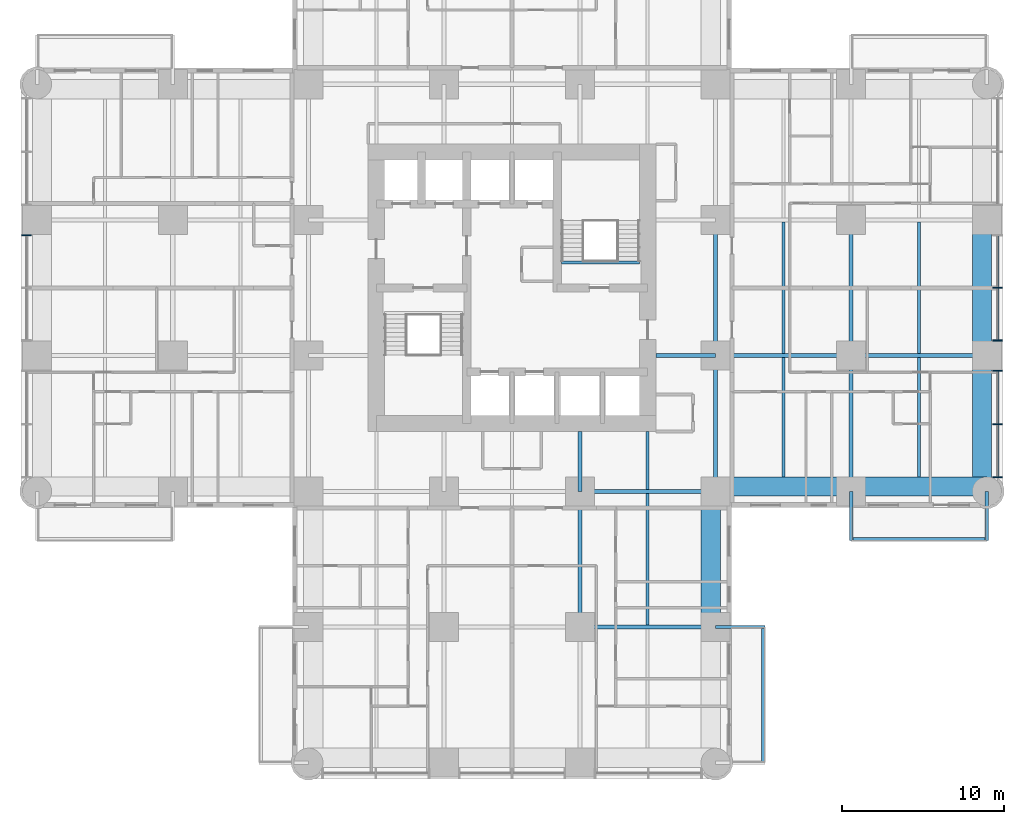
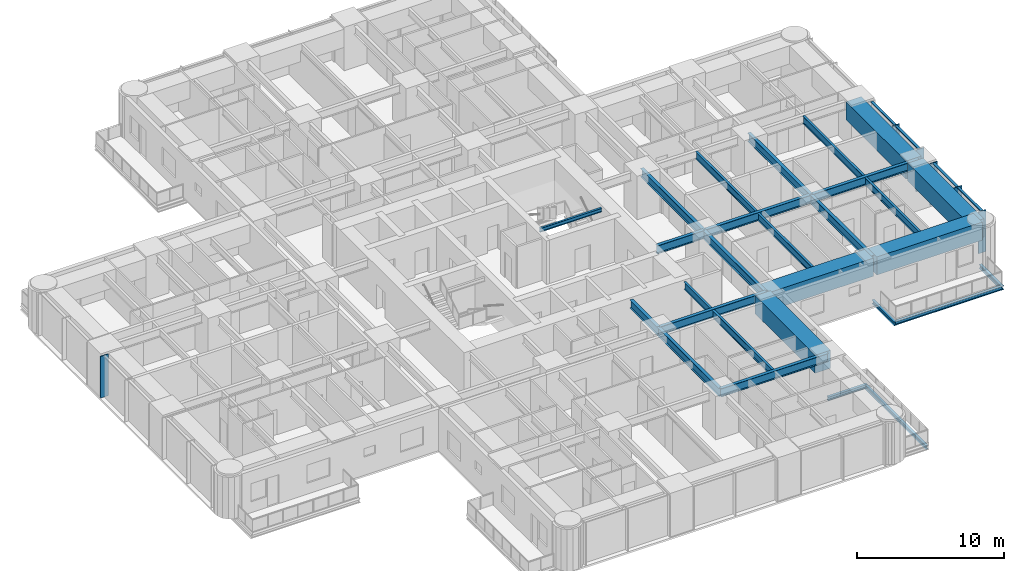
# One storey, part 3 of 17: 28 beams, 10 members, 2 elements without a shape of their own.
"""IFC4 building model written with IfcOpenShell, lengths in metres."""

from ifc_helpers import new_model, si_unit, direction, frame, origin, origin_2d, place, context, subcontext, project, spatial, rectangle, i_section, extrude, material, material_profile, profile_set, type_object, element, aggregate, save


model = new_model("IFC4")

# Units and contexts
model_context = context("Model", 3, precision=1e-05, world=origin(), true_north=direction((0.0, 1.0)))
body_context = subcontext(model_context, "Body", "Model", "MODEL_VIEW")
ifc_project = project(units=[si_unit("LENGTHUNIT", "METRE"), si_unit("AREAUNIT", "SQUARE_METRE"), si_unit("VOLUMEUNIT", "CUBIC_METRE"), si_unit("PLANEANGLEUNIT", "RADIAN"), si_unit("MASSUNIT", "GRAM", prefix="KILO")], contexts=[model_context])

# Site, building, storey
site_placement = place(None, origin())
site = spatial("IfcSite", under=ifc_project, at=site_placement, CompositionType="ELEMENT")
building_placement = place(site_placement, origin())
building = spatial("IfcBuilding", under=site, at=building_placement, Name="Torre Alcanfor", CompositionType="ELEMENT")
storey_placement = place(building_placement, frame((0.0, 0.0, 48.89990234375)))
storey = spatial("IfcBuildingStorey", under=building, at=storey_placement, Name="L11", CompositionType="ELEMENT", Elevation=48.89990234375)

# Beams
ifc_material_1 = material(Name="Steel ASTM A992 Grade 50", Category="steel")
ifc_material_profile_1 = material_profile(ifc_material_1, i_section(OverallWidth=0.205322265625, OverallDepth=0.309814453125, WebThickness=0.00927734375, FlangeThickness=0.016357421875, at=origin_2d()), Name="W12x50")
ifc_profile_set_1 = profile_set([ifc_material_profile_1], Name="Steel ASTM A992 Grade 50")
beam_type_1 = type_object("IfcBeamType", Name="Balcony cantilever beam W12x50", PredefinedType="BEAM", material=ifc_profile_set_1)
for number, where, z_axis, x_axis, name in (
    (1, (50.39990234375, 16.800048828125, -0.354736328125), (0.0, -1.0, 0.0), (1.0, 0.0, 0.0), "Balcony cantilever beam L11-E2 1"),
    (2, (58.800048828125, 16.800048828125, -0.354736328125), (0.0, -1.0, 0.0), (1.0, 0.0, 0.0), "Balcony cantilever beam L11-E2 2"),
    (3, (42.0, 8.39990234375, -0.354736328125), (1.0, 0.0, 0.0), (0.0, 1.0, 0.0), "Balcony cantilever beam L11-S1 1"),
):
    element("IfcBeam", number, at=place(storey_placement, frame(where, z_axis=z_axis, x_axis=x_axis)), inside=storey, type_object=beam_type_1, Name=name, PredefinedType="BEAM", context=body_context, shape_type="SweptSolid", body=[
        extrude(i_section(OverallWidth=0.205322265625, OverallDepth=0.309814453125, WebThickness=0.00927734375, FlangeThickness=0.016357421875, at=origin_2d()), origin(), (0.0, 0.0, 1.0), 3.050048828125),
    ])
ifc_material_2 = material(Name="Steel ASTM A992 Grade 50", Category="steel")
ifc_material_profile_2 = material_profile(ifc_material_2, i_section(OverallWidth=0.203369140625, OverallDepth=0.30224609375, WebThickness=0.007568359375, FlangeThickness=0.01318359375, at=origin_2d()), Name="W12x40")
ifc_profile_set_2 = profile_set([ifc_material_profile_2], Name="Steel ASTM A992 Grade 50")
beam_type_2 = type_object("IfcBeamType", Name="Balcony edge trimmer W12x40", PredefinedType="BEAM", material=ifc_profile_set_2)
beam_1_placement = place(storey_placement, frame((50.39990234375, 13.851806640625, -0.35107421875), z_axis=(1.0, 0.0, 0.0), x_axis=(0.0, 1.0, 0.0)))
element("IfcBeam", 4, at=beam_1_placement, inside=storey, type_object=beam_type_2, Name="Balcony edge trimmer L11-E2", PredefinedType="BEAM", context=body_context, shape_type="SweptSolid", body=[
    extrude(i_section(OverallWidth=0.203369140625, OverallDepth=0.30224609375, WebThickness=0.007568359375, FlangeThickness=0.01318359375, at=origin_2d()), origin(), (0.0, 0.0, 1.0), 8.400146484375),
])
beam_2_placement = place(storey_placement, frame((44.9482421875, 8.39990234375, -0.35107421875), z_axis=(0.0, -1.0, 0.0), x_axis=(1.0, 0.0, 0.0)))
element("IfcBeam", 5, at=beam_2_placement, inside=storey, type_object=beam_type_2, Name="Balcony edge trimmer L11-S1", PredefinedType="BEAM", context=body_context, shape_type="SweptSolid", body=[
    extrude(i_section(OverallWidth=0.203369140625, OverallDepth=0.30224609375, WebThickness=0.007568359375, FlangeThickness=0.01318359375, at=origin_2d()), origin(), (0.0, 0.0, 1.0), 8.39990234375),
])

# Curtain wall, member
ifc_material_3 = material(Name="Aluminium and glass", Category="aluminium")
curtain_wall_type = type_object("IfcCurtainWallType", Name="CW-A unitised apartment glazing with vertical FIN", PredefinedType="NOTDEFINED", material=ifc_material_3)
curtain_wall_1_placement = place(storey_placement, origin())
curtain_wall_1 = element("IfcCurtainWall", 6, at=curtain_wall_1_placement, inside=storey, type_object=curtain_wall_type, Name="Curtain wall CW-A L11 2", PredefinedType="NOTDEFINED")
ifc_material_4 = material(Name="Bronze anodised aluminium", Category="aluminium")
ifc_material_profile_3 = material_profile(ifc_material_4, rectangle(XDim=0.60009765625, YDim=0.06494140625, at=origin_2d()), Name="CW-A mullion 65x600")
ifc_profile_set_3 = profile_set([ifc_material_profile_3], Name="Bronze anodised aluminium")
member_type_1 = type_object("IfcMemberType", Name="CW-A mullion with vertical FIN 65x600", PredefinedType="MULLION", material=ifc_profile_set_3)
member_1_placement = place(storey_placement, frame((-0.64990234375, 32.66259765625, 0.0), z_axis=(0.0, 0.0, 1.0), x_axis=(1.0, 0.0, 0.0)))
member_1 = element("IfcMember", 7, at=member_1_placement, type_object=member_type_1, Name="CW-A mullion 2.1", PredefinedType="MULLION", context=body_context, shape_type="SweptSolid", body=[
    extrude(rectangle(XDim=0.60009765625, YDim=0.06494140625, at=origin_2d()), origin(), (0.0, 0.0, 1.0), 3.4501953125),
])
aggregate(curtain_wall_1, [member_1])

# Curtain wall, members
curtain_wall_2_placement = place(storey_placement, origin())
curtain_wall_2 = element("IfcCurtainWall", 8, at=curtain_wall_2_placement, inside=storey, type_object=curtain_wall_type, Name="Curtain wall CW-A L11 8", PredefinedType="NOTDEFINED")
member_2_placement = place(storey_placement, frame((59.449951171875, 17.6669921875, 0.0), z_axis=(0.0, 0.0, 1.0), x_axis=(-1.0, 0.0, 0.0)))
member_2 = element("IfcMember", 9, at=member_2_placement, type_object=member_type_1, Name="CW-A mullion 1.1", PredefinedType="MULLION", context=body_context, shape_type="SweptSolid", body=[
    extrude(rectangle(XDim=0.60009765625, YDim=0.06494140625, at=origin_2d()), origin(), (0.0, 0.0, 1.0), 3.4501953125),
])
member_3_placement = place(storey_placement, frame((59.449951171875, 20.96484375, 0.0), z_axis=(0.0, 0.0, 1.0), x_axis=(-1.0, 0.0, 0.0)))
member_3 = element("IfcMember", 10, at=member_3_placement, type_object=member_type_1, Name="CW-A mullion 1.2", PredefinedType="MULLION", context=body_context, shape_type="SweptSolid", body=[
    extrude(rectangle(XDim=0.60009765625, YDim=0.06494140625, at=origin_2d()), origin(), (0.0, 0.0, 1.0), 3.4501953125),
])
member_4_placement = place(storey_placement, frame((59.449951171875, 24.262451171875, 0.0), z_axis=(0.0, 0.0, 1.0), x_axis=(-1.0, 0.0, 0.0)))
member_4 = element("IfcMember", 11, at=member_4_placement, type_object=member_type_1, Name="CW-A mullion 1.3", PredefinedType="MULLION", context=body_context, shape_type="SweptSolid", body=[
    extrude(rectangle(XDim=0.60009765625, YDim=0.06494140625, at=origin_2d()), origin(), (0.0, 0.0, 1.0), 3.4501953125),
])
member_5_placement = place(storey_placement, frame((59.449951171875, 26.137451171875, 0.0), z_axis=(0.0, 0.0, 1.0), x_axis=(-1.0, 0.0, 0.0)))
member_5 = element("IfcMember", 12, at=member_5_placement, type_object=member_type_1, Name="CW-A mullion 2.1", PredefinedType="MULLION", context=body_context, shape_type="SweptSolid", body=[
    extrude(rectangle(XDim=0.60009765625, YDim=0.06494140625, at=origin_2d()), origin(), (0.0, 0.0, 1.0), 3.4501953125),
])
member_6_placement = place(storey_placement, frame((59.449951171875, 29.39990234375, 0.0), z_axis=(0.0, 0.0, 1.0), x_axis=(-1.0, 0.0, 0.0)))
member_6 = element("IfcMember", 13, at=member_6_placement, type_object=member_type_1, Name="CW-A mullion 2.2", PredefinedType="MULLION", context=body_context, shape_type="SweptSolid", body=[
    extrude(rectangle(XDim=0.60009765625, YDim=0.06494140625, at=origin_2d()), origin(), (0.0, 0.0, 1.0), 3.4501953125),
])
ifc_material_5 = material(Name="Extruded aluminium", Category="aluminium")
ifc_material_profile_4 = material_profile(ifc_material_5, rectangle(XDim=0.199951171875, YDim=0.06494140625, at=origin_2d()), Name="CW-A transom 200x65")
ifc_profile_set_4 = profile_set([ifc_material_profile_4], Name="Extruded aluminium")
member_type_2 = type_object("IfcMemberType", Name="CW-A transom 65x200", PredefinedType="USERDEFINED", material=ifc_profile_set_4)
member_7_placement = place(storey_placement, frame((59.449951171875, 17.699462890625, 3.41748046875), z_axis=(0.0, 1.0, 0.0), x_axis=(-1.0, 0.0, 0.0)))
member_7 = element("IfcMember", 14, at=member_7_placement, type_object=member_type_2, Name="CW-A transom 1.1.2", ObjectType="TRANSOM", PredefinedType="USERDEFINED", context=body_context, shape_type="SweptSolid", body=[
    extrude(rectangle(XDim=0.199951171875, YDim=0.06494140625, at=origin_2d()), origin(), (0.0, 0.0, 1.0), 3.232666015625),
])
member_8_placement = place(storey_placement, frame((59.449951171875, 20.997314453125, 3.41748046875), z_axis=(0.0, 1.0, 0.0), x_axis=(-1.0, 0.0, 0.0)))
member_8 = element("IfcMember", 15, at=member_8_placement, type_object=member_type_2, Name="CW-A transom 1.2.2", ObjectType="TRANSOM", PredefinedType="USERDEFINED", context=body_context, shape_type="SweptSolid", body=[
    extrude(rectangle(XDim=0.199951171875, YDim=0.06494140625, at=origin_2d()), origin(), (0.0, 0.0, 1.0), 3.232666015625),
])
member_9_placement = place(storey_placement, frame((59.449951171875, 26.169921875, 3.41748046875), z_axis=(0.0, 1.0, 0.0), x_axis=(-1.0, 0.0, 0.0)))
member_9 = element("IfcMember", 16, at=member_9_placement, type_object=member_type_2, Name="CW-A transom 2.1.2", ObjectType="TRANSOM", PredefinedType="USERDEFINED", context=body_context, shape_type="SweptSolid", body=[
    extrude(rectangle(XDim=0.199951171875, YDim=0.06494140625, at=origin_2d()), origin(), (0.0, 0.0, 1.0), 3.197509765625),
])
member_10_placement = place(storey_placement, frame((59.449951171875, 29.4326171875, 3.41748046875), z_axis=(0.0, 1.0, 0.0), x_axis=(-1.0, 0.0, 0.0)))
member_10 = element("IfcMember", 17, at=member_10_placement, type_object=member_type_2, Name="CW-A transom 2.2.2", ObjectType="TRANSOM", PredefinedType="USERDEFINED", context=body_context, shape_type="SweptSolid", body=[
    extrude(rectangle(XDim=0.199951171875, YDim=0.06494140625, at=origin_2d()), origin(), (0.0, 0.0, 1.0), 3.197265625),
])
aggregate(curtain_wall_2, [member_2, member_3, member_4, member_7, member_8, member_5, member_6, member_9, member_10])

# Beams
ifc_material_6 = material(Name="Steel ASTM A992 Grade 50", Category="steel")
ifc_material_profile_5 = material_profile(ifc_material_6, i_section(OverallWidth=0.25390625, OverallDepth=0.683349609375, WebThickness=0.012451171875, FlangeThickness=0.01904296875, at=origin_2d()), Name="W27x94")
ifc_profile_set_5 = profile_set([ifc_material_profile_5], Name="Steel ASTM A992 Grade 50")
beam_type_3 = type_object("IfcBeamType", Name="Girder W27x94", PredefinedType="BEAM", material=ifc_profile_set_5)
for number, where, z_axis, x_axis, name in (
    (18, (33.60009765625, 8.39990234375, 3.1083984375), (1.0, 0.0, 0.0), (0.0, 1.0, 0.0), "Beam 5D-6D under L12"),
    (19, (33.60009765625, 16.800048828125, 3.1083984375), (1.0, 0.0, 0.0), (0.0, 1.0, 0.0), "Beam 5E-6E under L12"),
    (20, (42.0, 25.199951171875, 3.1083984375), (1.0, 0.0, 0.0), (0.0, 1.0, 0.0), "Beam 6F-7F under L12"),
):
    element("IfcBeam", number, at=place(storey_placement, frame(where, z_axis=z_axis, x_axis=x_axis)), inside=storey, type_object=beam_type_3, Name=name, PredefinedType="BEAM", context=body_context, shape_type="SweptSolid", body=[
        extrude(i_section(OverallWidth=0.25390625, OverallDepth=0.683349609375, WebThickness=0.012451171875, FlangeThickness=0.01904296875, at=origin_2d()), origin(), (0.0, 0.0, 1.0), 8.39990234375),
    ])
for number, where, z_axis, x_axis, name in (
    (21, (50.39990234375, 25.199951171875, 3.1083984375), (1.0, 0.0, 0.0), (0.0, 1.0, 0.0), "Beam 7F-8F under L12"),
    (22, (33.60009765625, 8.39990234375, 3.1083984375), (0.0, 1.0, 0.0), (-1.0, 0.0, 0.0), "Beam 5D-5E under L12"),
):
    element("IfcBeam", number, at=place(storey_placement, frame(where, z_axis=z_axis, x_axis=x_axis)), inside=storey, type_object=beam_type_3, Name=name, PredefinedType="BEAM", context=body_context, shape_type="SweptSolid", body=[
        extrude(i_section(OverallWidth=0.25390625, OverallDepth=0.683349609375, WebThickness=0.012451171875, FlangeThickness=0.01904296875, at=origin_2d()), origin(), (0.0, 0.0, 1.0), 8.400146484375),
    ])
beam_3_placement = place(storey_placement, frame((42.0, 16.800048828125, 3.1083984375), z_axis=(0.0, 1.0, 0.0), x_axis=(-1.0, 0.0, 0.0)))
element("IfcBeam", 23, at=beam_3_placement, inside=storey, type_object=beam_type_3, Name="Beam 6E-6F under L12", PredefinedType="BEAM", context=body_context, shape_type="SweptSolid", body=[
    extrude(i_section(OverallWidth=0.25390625, OverallDepth=0.683349609375, WebThickness=0.012451171875, FlangeThickness=0.01904296875, at=origin_2d()), origin(), (0.0, 0.0, 1.0), 8.39990234375),
])
beam_4_placement = place(storey_placement, frame((42.0, 25.199951171875, 3.1083984375), z_axis=(0.0, 1.0, 0.0), x_axis=(-1.0, 0.0, 0.0)))
element("IfcBeam", 24, at=beam_4_placement, inside=storey, type_object=beam_type_3, Name="Beam 6F-6G under L12", PredefinedType="BEAM", context=body_context, shape_type="SweptSolid", body=[
    extrude(i_section(OverallWidth=0.25390625, OverallDepth=0.683349609375, WebThickness=0.012451171875, FlangeThickness=0.01904296875, at=origin_2d()), origin(), (0.0, 0.0, 1.0), 8.400146484375),
])
beam_5_placement = place(storey_placement, frame((50.39990234375, 16.800048828125, 3.1083984375), z_axis=(0.0, 1.0, 0.0), x_axis=(-1.0, 0.0, 0.0)))
element("IfcBeam", 25, at=beam_5_placement, inside=storey, type_object=beam_type_3, Name="Beam 7E-7F under L12", PredefinedType="BEAM", context=body_context, shape_type="SweptSolid", body=[
    extrude(i_section(OverallWidth=0.25390625, OverallDepth=0.683349609375, WebThickness=0.012451171875, FlangeThickness=0.01904296875, at=origin_2d()), origin(), (0.0, 0.0, 1.0), 8.39990234375),
])
beam_6_placement = place(storey_placement, frame((50.39990234375, 25.199951171875, 3.1083984375), z_axis=(0.0, 1.0, 0.0), x_axis=(-1.0, 0.0, 0.0)))
element("IfcBeam", 26, at=beam_6_placement, inside=storey, type_object=beam_type_3, Name="Beam 7F-7G under L12", PredefinedType="BEAM", context=body_context, shape_type="SweptSolid", body=[
    extrude(i_section(OverallWidth=0.25390625, OverallDepth=0.683349609375, WebThickness=0.012451171875, FlangeThickness=0.01904296875, at=origin_2d()), origin(), (0.0, 0.0, 1.0), 8.400146484375),
])
ifc_material_7 = material(Name="Steel ASTM A992 Grade 50", Category="steel")
ifc_material_profile_6 = material_profile(ifc_material_7, i_section(OverallWidth=0.25390625, OverallDepth=0.683349609375, WebThickness=0.012451171875, FlangeThickness=0.01904296875, at=origin_2d()), Name="W27x94")
ifc_profile_set_6 = profile_set([ifc_material_profile_6], Name="Steel ASTM A992 Grade 50")
beam_type_4 = type_object("IfcBeamType", Name="Girder, part bay W27x94", PredefinedType="BEAM", material=ifc_profile_set_6)
for number, where, z_axis, x_axis, name in (
    (27, (33.60009765625, 16.800048828125, 3.1083984375), (0.0, 1.0, 0.0), (-1.0, 0.0, 0.0), "Beam 5E-520_5 under L12"),
    (28, (42.0, 25.199951171875, 3.1083984375), (-1.0, 0.0, 0.0), (0.0, -1.0, 0.0), "Beam 6F-38_3F under L12"),
):
    element("IfcBeam", number, at=place(storey_placement, frame(where, z_axis=z_axis, x_axis=x_axis)), inside=storey, type_object=beam_type_4, Name=name, PredefinedType="BEAM", context=body_context, shape_type="SweptSolid", body=[
        extrude(i_section(OverallWidth=0.25390625, OverallDepth=0.683349609375, WebThickness=0.012451171875, FlangeThickness=0.01904296875, at=origin_2d()), origin(), (0.0, 0.0, 1.0), 3.699951171875),
    ])
ifc_material_8 = material(Name="Concrete f'c 70 MPa", Category="concrete")
ifc_material_profile_7 = material_profile(ifc_material_8, rectangle(XDim=1.199951171875, YDim=1.5, at=origin_2d()), Name="1200x1500")
ifc_profile_set_7 = profile_set([ifc_material_profile_7], Name="Concrete f'c 70 MPa")
beam_type_5 = type_object("IfcBeamType", Name="RC perimeter beam 1200x1500", PredefinedType="BEAM", material=ifc_profile_set_7)
beam_7_placement = place(storey_placement, frame((42.126953125, 17.10009765625, 2.7001953125), z_axis=(1.0, 0.0, 0.0), x_axis=(0.0, 1.0, 0.0)))
element("IfcBeam", 29, at=beam_7_placement, inside=storey, type_object=beam_type_5, Name="Beam 6E-7E under L12", PredefinedType="BEAM", context=body_context, shape_type="SweptSolid", body=[
    extrude(rectangle(XDim=1.199951171875, YDim=1.5, at=origin_2d()), origin(), (0.0, 0.0, 1.0), 8.14599609375),
])
beam_8_placement = place(storey_placement, frame((50.527099609375, 17.10009765625, 2.7001953125), z_axis=(1.0, 0.0, 0.0), x_axis=(0.0, 1.0, 0.0)))
element("IfcBeam", 30, at=beam_8_placement, inside=storey, type_object=beam_type_5, Name="Beam 7E-8E under L12", PredefinedType="BEAM", context=body_context, shape_type="SweptSolid", body=[
    extrude(rectangle(XDim=1.199951171875, YDim=1.5, at=origin_2d()), origin(), (0.0, 0.0, 1.0), 8.27294921875),
])
beam_9_placement = place(storey_placement, frame((41.699951171875, 8.527099609375, 2.7001953125), z_axis=(0.0, 1.0, 0.0), x_axis=(-1.0, 0.0, 0.0)))
element("IfcBeam", 31, at=beam_9_placement, inside=storey, type_object=beam_type_5, Name="Beam 6D-6E under L12", PredefinedType="BEAM", context=body_context, shape_type="SweptSolid", body=[
    extrude(rectangle(XDim=1.199951171875, YDim=1.5, at=origin_2d()), origin(), (0.0, 0.0, 1.0), 8.14599609375),
])
beam_10_placement = place(storey_placement, frame((58.5, 16.800048828125, 2.7001953125), z_axis=(0.0, 1.0, 0.0), x_axis=(-1.0, 0.0, 0.0)))
element("IfcBeam", 32, at=beam_10_placement, inside=storey, type_object=beam_type_5, Name="Beam 8E-8F under L12", PredefinedType="BEAM", context=body_context, shape_type="SweptSolid", body=[
    extrude(rectangle(XDim=1.199951171875, YDim=1.5, at=origin_2d()), origin(), (0.0, 0.0, 1.0), 8.27294921875),
])
beam_11_placement = place(storey_placement, frame((58.5, 25.326904296875, 2.7001953125), z_axis=(0.0, 1.0, 0.0), x_axis=(-1.0, 0.0, 0.0)))
element("IfcBeam", 33, at=beam_11_placement, inside=storey, type_object=beam_type_5, Name="Beam 8F-8G under L12", PredefinedType="BEAM", context=body_context, shape_type="SweptSolid", body=[
    extrude(rectangle(XDim=1.199951171875, YDim=1.5, at=origin_2d()), origin(), (0.0, 0.0, 1.0), 8.14599609375),
])
ifc_material_9 = material(Name="Steel ASTM A992 Grade 50", Category="steel")
ifc_material_profile_8 = material_profile(ifc_material_9, i_section(OverallWidth=0.1787109375, OverallDepth=0.60205078125, WebThickness=0.010986328125, FlangeThickness=0.014892578125, at=origin_2d()), Name="W24x62")
ifc_profile_set_8 = profile_set([ifc_material_profile_8], Name="Steel ASTM A992 Grade 50")
beam_type_6 = type_object("IfcBeamType", Name="Secondary beam W24x62", PredefinedType="BEAM", material=ifc_profile_set_8)
beam_12_placement = place(storey_placement, frame((37.800048828125, 8.527099609375, 3.149169921875), z_axis=(0.0, 1.0, 0.0), x_axis=(-1.0, 0.0, 0.0)))
element("IfcBeam", 34, at=beam_12_placement, inside=storey, type_object=beam_type_6, Name="Beam 37_8D-37_8E under L12", PredefinedType="BEAM", context=body_context, shape_type="SweptSolid", body=[
    extrude(i_section(OverallWidth=0.1787109375, OverallDepth=0.60205078125, WebThickness=0.010986328125, FlangeThickness=0.014892578125, at=origin_2d()), origin(), (0.0, 0.0, 1.0), 8.14599609375),
])
beam_13_placement = place(storey_placement, frame((46.199951171875, 17.699951171875, 3.149169921875), z_axis=(0.0, 1.0, 0.0), x_axis=(-1.0, 0.0, 0.0)))
element("IfcBeam", 35, at=beam_13_placement, inside=storey, type_object=beam_type_6, Name="Beam 46_2E-46_2F under L12", PredefinedType="BEAM", context=body_context, shape_type="SweptSolid", body=[
    extrude(i_section(OverallWidth=0.1787109375, OverallDepth=0.60205078125, WebThickness=0.010986328125, FlangeThickness=0.014892578125, at=origin_2d()), origin(), (0.0, 0.0, 1.0), 7.373046875),
])
beam_14_placement = place(storey_placement, frame((46.199951171875, 25.326904296875, 3.149169921875), z_axis=(0.0, 1.0, 0.0), x_axis=(-1.0, 0.0, 0.0)))
element("IfcBeam", 36, at=beam_14_placement, inside=storey, type_object=beam_type_6, Name="Beam 46_2F-46_2G under L12", PredefinedType="BEAM", context=body_context, shape_type="SweptSolid", body=[
    extrude(i_section(OverallWidth=0.1787109375, OverallDepth=0.60205078125, WebThickness=0.010986328125, FlangeThickness=0.014892578125, at=origin_2d()), origin(), (0.0, 0.0, 1.0), 8.14599609375),
])
beam_15_placement = place(storey_placement, frame((54.60009765625, 17.699951171875, 3.149169921875), z_axis=(0.0, 1.0, 0.0), x_axis=(-1.0, 0.0, 0.0)))
element("IfcBeam", 37, at=beam_15_placement, inside=storey, type_object=beam_type_6, Name="Beam 54_6E-54_6F under L12", PredefinedType="BEAM", context=body_context, shape_type="SweptSolid", body=[
    extrude(i_section(OverallWidth=0.1787109375, OverallDepth=0.60205078125, WebThickness=0.010986328125, FlangeThickness=0.014892578125, at=origin_2d()), origin(), (0.0, 0.0, 1.0), 7.373046875),
])
beam_16_placement = place(storey_placement, frame((54.60009765625, 25.326904296875, 3.149169921875), z_axis=(0.0, 1.0, 0.0), x_axis=(-1.0, 0.0, 0.0)))
element("IfcBeam", 38, at=beam_16_placement, inside=storey, type_object=beam_type_6, Name="Beam 54_6F-54_6G under L12", PredefinedType="BEAM", context=body_context, shape_type="SweptSolid", body=[
    extrude(i_section(OverallWidth=0.1787109375, OverallDepth=0.60205078125, WebThickness=0.010986328125, FlangeThickness=0.014892578125, at=origin_2d()), origin(), (0.0, 0.0, 1.0), 8.14599609375),
])
ifc_material_10 = material(Name="Steel ASTM A992 Grade 50", Category="steel")
ifc_material_profile_9 = material_profile(ifc_material_10, i_section(OverallWidth=0.1787109375, OverallDepth=0.60205078125, WebThickness=0.010986328125, FlangeThickness=0.014892578125, at=origin_2d()), Name="W24x62")
ifc_profile_set_9 = profile_set([ifc_material_profile_9], Name="Steel ASTM A992 Grade 50")
beam_type_7 = type_object("IfcBeamType", Name="Secondary beam, part bay W24x62", PredefinedType="BEAM", material=ifc_profile_set_9)
beam_17_placement = place(storey_placement, frame((37.800048828125, 16.927001953125, 3.149169921875), z_axis=(0.0, 1.0, 0.0), x_axis=(-1.0, 0.0, 0.0)))
element("IfcBeam", 39, at=beam_17_placement, inside=storey, type_object=beam_type_7, Name="Beam 37_8E-37_820_5 under L12", PredefinedType="BEAM", context=body_context, shape_type="SweptSolid", body=[
    extrude(i_section(OverallWidth=0.1787109375, OverallDepth=0.60205078125, WebThickness=0.010986328125, FlangeThickness=0.014892578125, at=origin_2d()), origin(), (0.0, 0.0, 1.0), 3.572998046875),
])
ifc_material_11 = material(Name="Steel ASTM A992 Grade 50", Category="steel")
ifc_material_profile_10 = material_profile(ifc_material_11, i_section(OverallWidth=0.164794921875, OverallDepth=0.309814453125, WebThickness=0.005859375, FlangeThickness=0.009765625, at=origin_2d()), Name="W12x26")
ifc_profile_set_10 = profile_set([ifc_material_profile_10], Name="Steel ASTM A992 Grade 50")
beam_type_8 = type_object("IfcBeamType", Name="Stair landing beam W12x26", PredefinedType="BEAM", material=ifc_profile_set_10)
beam_18_placement = place(storey_placement, frame((32.449951171875, 30.962646484375, 3.2451171875), z_axis=(1.0, 0.0, 0.0), x_axis=(0.0, 1.0, 0.0)))
element("IfcBeam", 40, at=beam_18_placement, inside=storey, type_object=beam_type_8, Name="Landing trimmer S2 L12", PredefinedType="BEAM", context=body_context, shape_type="SweptSolid", body=[
    extrude(i_section(OverallWidth=0.164794921875, OverallDepth=0.309814453125, WebThickness=0.005859375, FlangeThickness=0.009765625, at=origin_2d()), origin(), (0.0, 0.0, 1.0), 4.85009765625),
])

save(model, "model.ifc")
